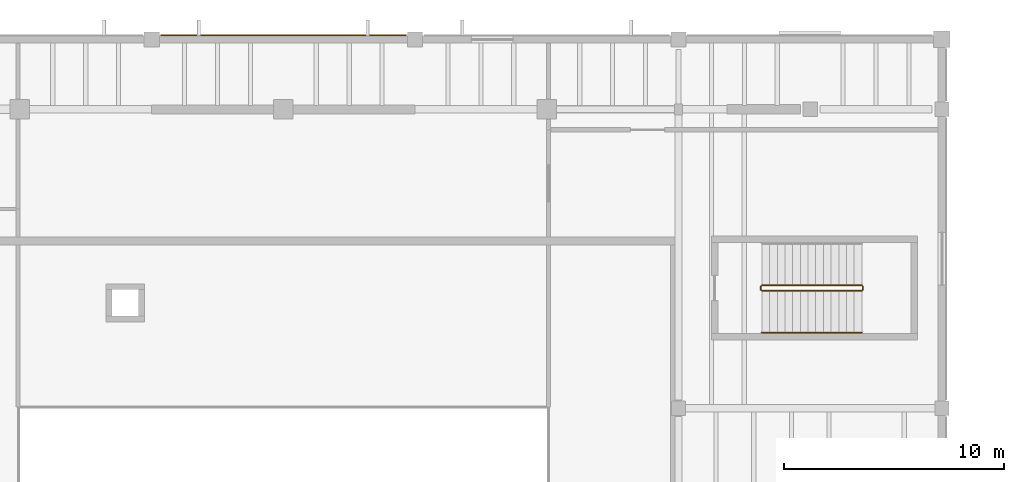
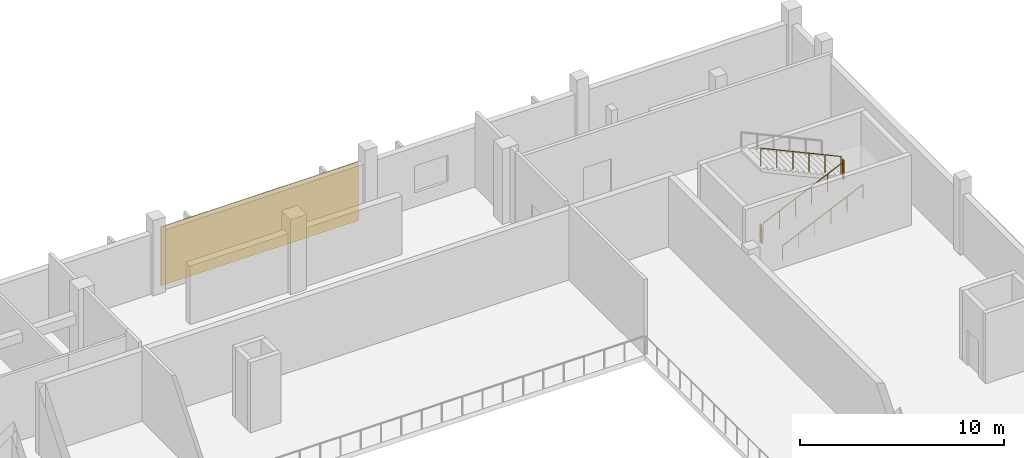
# One storey, part 59 of 63: 5 railings, 1 covering.
"""IFC4 building model written with IfcOpenShell, lengths in metres."""

from ifc_helpers import new_model, si_unit, direction, frame, origin, origin_2d, place, context, subcontext, project, spatial, rectangle, circle, extrude, material, layer, layer_set, type_object, element, save


model = new_model("IFC4")

# Units and contexts
model_context = context("Model", 3, precision=1e-05, world=origin(), true_north=direction((0.0, 1.0)))
body_context = subcontext(model_context, "Body", "Model", "MODEL_VIEW")
ifc_project = project(units=[si_unit("LENGTHUNIT", "METRE"), si_unit("AREAUNIT", "SQUARE_METRE"), si_unit("VOLUMEUNIT", "CUBIC_METRE"), si_unit("PLANEANGLEUNIT", "RADIAN"), si_unit("MASSUNIT", "GRAM", prefix="KILO")], contexts=[model_context])

# Site, building, storey
site_placement = place(None, origin())
site = spatial("IfcSite", under=ifc_project, at=site_placement, CompositionType="ELEMENT")
building_placement = place(site_placement, origin())
building = spatial("IfcBuilding", under=site, at=building_placement, Name="Kelmvaro Bay Concert Hall", CompositionType="ELEMENT")
storey_placement = place(building_placement, frame((0.0, 0.0, 13.800048828125)))
storey = spatial("IfcBuildingStorey", under=building, at=storey_placement, Name="L03", CompositionType="ELEMENT", Elevation=13.800048828125)

# Covering
ifc_material_1 = material(Name="Honed Florida Limestone Travertine", Category="masonry")
ifc_layer = layer(ifc_material_1, 0.054931640625)
ifc_layer_set = layer_set([ifc_layer], Name="Honed Florida Limestone Travertine")
covering_type = type_object("IfcCoveringType", Name="Honed Florida Travertine Rainscreen Cladding 55", PredefinedType="CLADDING", material=ifc_layer_set)
covering_placement = place(storey_placement, frame((30.0, 114.195556640625, 0.02978515625), z_axis=(0.0, 0.0, 1.0), x_axis=(1.0, 0.0, 0.0)))
element("IfcCovering", 1, at=covering_placement, inside=storey, type_object=covering_type, Name="L03 Travertine Cladding Panel 0113", PredefinedType="CLADDING", context=body_context, shape_type="SweptSolid", body=[
    extrude(rectangle(XDim=11.179931640625, YDim=0.054931640625, at=origin_2d()), origin(), (0.0, 0.0, 1.0), 3.509033203125),
])

# Railings
ifc_material_2 = material(Name="Brushed Stainless Steel 316", Category="steel")
railing_type_1 = type_object("IfcRailingType", Name="Stair Stainless Wall Handrail 900", PredefinedType="HANDRAIL", material=ifc_material_2)
railing_1_placement = place(storey_placement, frame((51.800048828125, 100.64990234375, 0.16064453125)))
element("IfcRailing", 2, at=railing_1_placement, inside=storey, type_object=railing_type_1, Name="L03 ST-02 stair handrail 1", PredefinedType="HANDRAIL", context=body_context, shape_type="SweptSolid", body=[
    extrude(circle(Radius=0.02392578125, at=origin_2d()), frame((0.0, 0.0, 0.8759765625), z_axis=(0.908768316152, 0.0, 0.417301027506), x_axis=(0.0, 1.0, 0.0)), (0.0, 0.0, 1.0), 5.0068359375),
    extrude(circle(Radius=0.02099609375, at=origin_2d()), origin(), (0.0, 0.0, 1.0), 0.851806640625),
    extrude(circle(Radius=0.02099609375, at=origin_2d()), frame((0.909912109375, 0.0, 0.41796875)), (0.0, 0.0, 1.0), 0.851806640625),
    extrude(circle(Radius=0.02099609375, at=origin_2d()), frame((1.820068359375, 0.0, 0.835693359375)), (0.0, 0.0, 1.0), 0.851806640625),
    extrude(circle(Radius=0.02099609375, at=origin_2d()), frame((2.72998046875, 0.0, 1.253662109375)), (0.0, 0.0, 1.0), 0.851806640625),
    extrude(circle(Radius=0.02099609375, at=origin_2d()), frame((3.64013671875, 0.0, 1.67138671875)), (0.0, 0.0, 1.0), 0.851806640625),
    extrude(circle(Radius=0.02099609375, at=origin_2d()), frame((4.550048828125, 0.0, 2.08935546875)), (0.0, 0.0, 1.0), 0.851806640625),
])
ifc_material_3 = material(Name="Powder-Coated Steel ASTM A500", Category="steel")
railing_type_2 = type_object("IfcRailingType", Name="Stair Well Painted Steel Guard 1100", PredefinedType="BALUSTRADE", material=ifc_material_3)
railing_2_placement = place(storey_placement, frame((51.800048828125, 102.550048828125, 0.16064453125)))
element("IfcRailing", 3, at=railing_2_placement, inside=storey, type_object=railing_type_2, Name="L03 ST-02 stair guard 1", PredefinedType="BALUSTRADE", context=body_context, shape_type="SweptSolid", body=[
    extrude(circle(Radius=0.02392578125, at=origin_2d()), frame((0.0, 0.0, 1.076171875), z_axis=(0.908768316152, 0.0, 0.417301027506), x_axis=(0.0, 1.0, 0.0)), (0.0, 0.0, 1.0), 5.0068359375),
    extrude(circle(Radius=0.02099609375, at=origin_2d()), origin(), (0.0, 0.0, 1.0), 1.052001953125),
    extrude(circle(Radius=0.02099609375, at=origin_2d()), frame((0.909912109375, 0.0, 0.41796875)), (0.0, 0.0, 1.0), 1.052001953125),
    extrude(circle(Radius=0.02099609375, at=origin_2d()), frame((1.820068359375, 0.0, 0.835693359375)), (0.0, 0.0, 1.0), 1.052001953125),
    extrude(circle(Radius=0.02099609375, at=origin_2d()), frame((2.72998046875, 0.0, 1.253662109375)), (0.0, 0.0, 1.0), 1.052001953125),
    extrude(circle(Radius=0.02099609375, at=origin_2d()), frame((3.64013671875, 0.0, 1.67138671875)), (0.0, 0.0, 1.0), 1.052001953125),
    extrude(circle(Radius=0.02099609375, at=origin_2d()), frame((4.550048828125, 0.0, 2.08935546875)), (0.0, 0.0, 1.0), 1.052001953125),
])
railing_3_placement = place(storey_placement, frame((56.39990234375, 102.60009765625, 2.25)))
element("IfcRailing", 4, at=railing_3_placement, inside=storey, type_object=railing_type_2, Name="L03 ST-02 stair guard 2", PredefinedType="BALUSTRADE", context=body_context, shape_type="SweptSolid", body=[
    extrude(circle(Radius=0.02392578125, at=origin_2d()), frame((0.0, 0.0, 1.076171875), z_axis=(0.0, 1.0, 0.0), x_axis=(-1.0, 0.0, 0.0)), (0.0, 0.0, 1.0), 0.14990234375),
    extrude(circle(Radius=0.02099609375, at=origin_2d()), origin(), (0.0, 0.0, 1.0), 1.052001953125),
    extrude(circle(Radius=0.02099609375, at=origin_2d()), frame((0.0, 0.14990234375, 0.0)), (0.0, 0.0, 1.0), 1.052001953125),
])
railing_4_placement = place(storey_placement, frame((56.35009765625, 102.800048828125, 2.41064453125)))
element("IfcRailing", 5, at=railing_4_placement, inside=storey, type_object=railing_type_2, Name="L03 ST-02 stair guard 3", PredefinedType="BALUSTRADE", context=body_context, shape_type="SweptSolid", body=[
    extrude(circle(Radius=0.02392578125, at=origin_2d()), frame((0.0, 0.0, 1.076171875), z_axis=(-0.908768316152, 0.0, 0.417301027506), x_axis=(0.0, -1.0, 0.0)), (0.0, 0.0, 1.0), 5.0068359375),
    extrude(circle(Radius=0.02099609375, at=origin_2d()), origin(), (0.0, 0.0, 1.0), 1.052001953125),
    extrude(circle(Radius=0.02099609375, at=origin_2d()), frame((-0.909912109375, 0.0, 0.41796875)), (0.0, 0.0, 1.0), 1.052001953125),
    extrude(circle(Radius=0.02099609375, at=origin_2d()), frame((-1.820068359375, 0.0, 0.835693359375)), (0.0, 0.0, 1.0), 1.052001953125),
    extrude(circle(Radius=0.02099609375, at=origin_2d()), frame((-2.72998046875, 0.0, 1.253662109375)), (0.0, 0.0, 1.0), 1.052001953125),
    extrude(circle(Radius=0.02099609375, at=origin_2d()), frame((-3.64013671875, 0.0, 1.67138671875)), (0.0, 0.0, 1.0), 1.052001953125),
    extrude(circle(Radius=0.02099609375, at=origin_2d()), frame((-4.550048828125, 0.0, 2.08935546875)), (0.0, 0.0, 1.0), 1.052001953125),
])
railing_5_placement = place(storey_placement, frame((51.75, 102.60009765625, 0.0)))
element("IfcRailing", 6, at=railing_5_placement, inside=storey, type_object=railing_type_2, Name="L03 ST-02 stair guard 4", PredefinedType="BALUSTRADE", context=body_context, shape_type="SweptSolid", body=[
    extrude(circle(Radius=0.02392578125, at=origin_2d()), frame((0.0, 0.0, 1.076171875), z_axis=(0.0, 1.0, 0.0), x_axis=(-1.0, 0.0, 0.0)), (0.0, 0.0, 1.0), 0.14990234375),
    extrude(circle(Radius=0.02099609375, at=origin_2d()), origin(), (0.0, 0.0, 1.0), 1.052001953125),
    extrude(circle(Radius=0.02099609375, at=origin_2d()), frame((0.0, 0.14990234375, 0.0)), (0.0, 0.0, 1.0), 1.052001953125),
])

save(model, "model.ifc")
